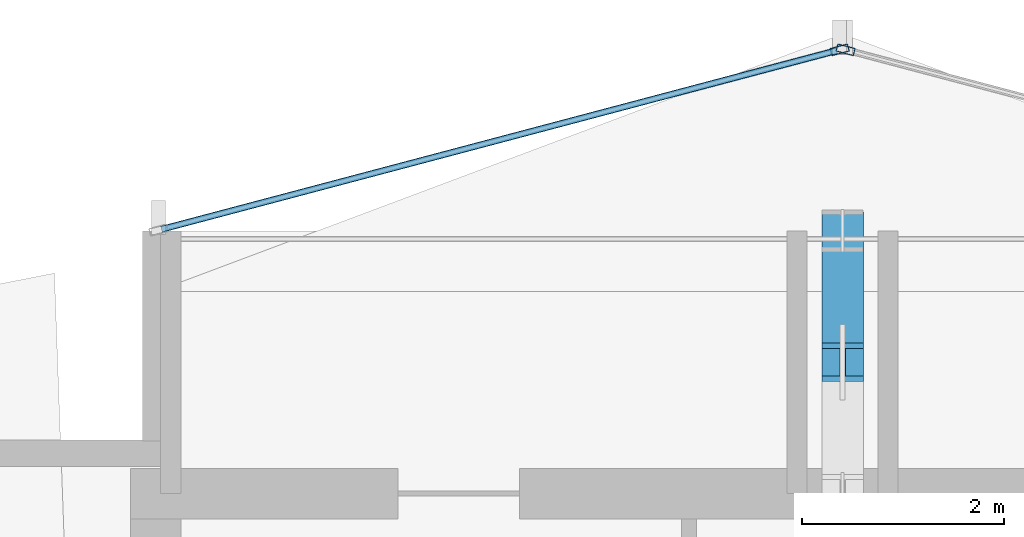
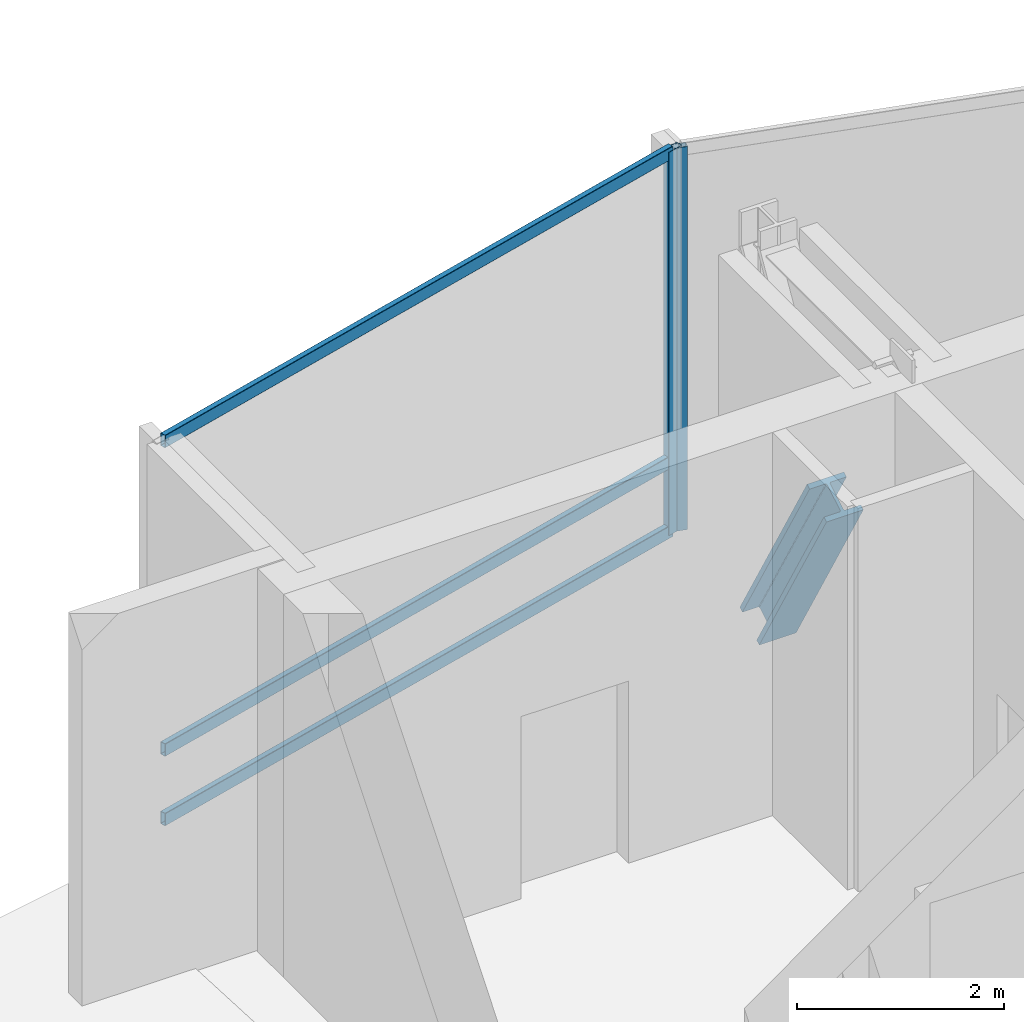
# One storey, part 16 of 30: 6 members, 2 elements without a shape of their own.
"""IFC4 building model written with IfcOpenShell, lengths in metres."""

import ifcopenshell
import ifcopenshell.guid

model = None  # the IFC model being written
_history = None  # IfcOwnerHistory: only IFC2X3 demands one
_inside = {}  # id of a spatial element -> (the spatial element, [elements in it])
_under = {}  # id of a project, library or spatial element -> (it, [spatial elements below it])
_declared = {}  # id of a project -> (the project, [libraries it declares])
_typed = {}  # id of a type object -> (the type object, [elements of that type])
_made_of = {}  # id of a material, layer set ... -> (it, [elements and type objects made of it])


def new_model(schema):
    """Start an empty IFC model of exactly this schema.

    Asked for "IFC4X3", IfcOpenShell would pick the latest addendum, in which some entities
    have other attributes; the version numbers below select the first issue.
    IFC2X3 requires an IfcOwnerHistory on every rooted entity: one is made here for all.
    """
    global model, _history
    if schema == "IFC4X3":
        model = ifcopenshell.file(schema_version=(4, 3, 0, 0))
    else:
        model = ifcopenshell.file(schema=schema)
    _inside.clear()
    _under.clear()
    _declared.clear()
    _typed.clear()
    _made_of.clear()
    _history = None
    if model.schema == "IFC2X3":
        org = make("IfcOrganization", Name="unknown")
        user = make(
            "IfcPersonAndOrganization",
            ThePerson=make("IfcPerson", FamilyName="unknown"),
            TheOrganization=org,
        )
        app = make(
            "IfcApplication",
            ApplicationDeveloper=org,
            Version="unknown",
            ApplicationFullName="unknown",
            ApplicationIdentifier="unknown",
        )
        _history = make(
            "IfcOwnerHistory",
            OwningUser=user,
            OwningApplication=app,
            ChangeAction="ADDED",
            CreationDate=0,
        )
    return model


def make(cls, **values):
    """One entity of the class cls with the attributes given. An attribute that is None is left unset."""
    return model.create_entity(
        cls, **{name: value for name, value in values.items() if value is not None}
    )


def rooted(cls, **values):
    """An entity with a GlobalId (a new one), such as an element, a storey or a relation."""
    return make(cls, GlobalId=ifcopenshell.guid.new(), OwnerHistory=_history, **values)


def si_unit(unit_type, name, prefix=None):
    """IfcSIUnit, for example si_unit("LENGTHUNIT", "METRE", prefix="MILLI")."""
    return make("IfcSIUnit", UnitType=unit_type, Prefix=prefix, Name=name)


def assignment(units):
    """IfcUnitAssignment: the units of a project."""
    return None if units is None else make("IfcUnitAssignment", Units=units)


def point(xyz):
    """IfcCartesianPoint."""
    return None if xyz is None else make("IfcCartesianPoint", Coordinates=xyz)


def direction(xyz):
    """IfcDirection."""
    return None if xyz is None else make("IfcDirection", DirectionRatios=xyz)


def frame(location, z_axis=None, x_axis=None):
    """IfcAxis2Placement3D, a coordinate frame: its origin and axes. An axis left out is left unset."""
    return make(
        "IfcAxis2Placement3D",
        Location=point(location),
        Axis=direction(z_axis),
        RefDirection=direction(x_axis),
    )


def frame_2d(location, x_axis=None):
    """IfcAxis2Placement2D, a coordinate frame in the plane: its origin and x axis."""
    return make(
        "IfcAxis2Placement2D", Location=point(location), RefDirection=direction(x_axis)
    )


def origin():
    """The frame at (0, 0, 0) with its axes left unset."""
    return frame((0.0, 0.0, 0.0))


def origin_2d():
    """The frame at (0, 0) in the plane with its x axis left unset."""
    return frame_2d((0.0, 0.0))


def place(relative_to, where):
    """IfcLocalPlacement: puts the frame where relative to a parent placement (None: the world)."""
    return make(
        "IfcLocalPlacement", PlacementRelTo=relative_to, RelativePlacement=where
    )


def context(
    kind, dimensions, precision=None, world=None, true_north=None, identifier=None
):
    """IfcGeometricRepresentationContext, for example the 3D "Model" context."""
    return make(
        "IfcGeometricRepresentationContext",
        ContextIdentifier=identifier,
        ContextType=kind,
        CoordinateSpaceDimension=dimensions,
        Precision=precision,
        WorldCoordinateSystem=world,
        TrueNorth=true_north,
    )


def subcontext(parent, identifier, kind, view, scale=None):
    """IfcGeometricRepresentationSubContext, for example "Body" below "Model"."""
    return make(
        "IfcGeometricRepresentationSubContext",
        ContextIdentifier=identifier,
        ContextType=kind,
        ParentContext=parent,
        TargetScale=scale,
        TargetView=view,
    )


def project(units=None, contexts=None):
    """IfcProject with its units and contexts."""
    return rooted(
        "IfcProject",
        Name="project",
        RepresentationContexts=contexts,
        UnitsInContext=assignment(units),
    )


def spatial(cls, under=None, at=None, **own):
    """A site, building, storey or space (cls), placed at a placement, below another one or the project."""
    s = rooted(cls, ObjectPlacement=at, **own)
    if under is not None:
        _under.setdefault(under.id(), (under, []))[1].append(s)
    return s


def profile(cls, at=None, kind="AREA", **sizes):
    """A parametric profile (cls). Its sizes go by their IFC names, for example OverallWidth=200.0."""
    return make(cls, ProfileType=kind, Position=at, **sizes)


def hollow_rectangle(**sizes):
    """IfcRectangleHollowProfileDef."""
    return profile("IfcRectangleHollowProfileDef", **sizes)


def i_section(**sizes):
    """IfcIShapeProfileDef."""
    return profile("IfcIShapeProfileDef", **sizes)


def extrude(swept, where, along, depth):
    """IfcExtrudedAreaSolid: the profile swept, set in the frame where, extruded along a direction by depth."""
    return make(
        "IfcExtrudedAreaSolid",
        SweptArea=swept,
        Position=where,
        ExtrudedDirection=direction(along),
        Depth=depth,
    )


def shape(context_of_items, identifier, shape_type, items):
    """IfcShapeRepresentation: the items that make up one representation, for example the "Body"."""
    return make(
        "IfcShapeRepresentation",
        ContextOfItems=context_of_items,
        RepresentationIdentifier=identifier,
        RepresentationType=shape_type,
        Items=items,
    )


def material(Name=None, Category=None):
    """IfcMaterial."""
    return make("IfcMaterial", Name=Name, Category=Category)


def layer(
    of_material, thickness, ventilated=None, Name=None, Category=None, Priority=None
):
    """IfcMaterialLayer: one layer of a wall or slab, of a material (None: an air gap)."""
    return make(
        "IfcMaterialLayer",
        Material=of_material,
        LayerThickness=thickness,
        IsVentilated=ventilated,
        Name=Name,
        Category=Category,
        Priority=Priority,
    )


def layer_set(layers, Name=None):
    """IfcMaterialLayerSet."""
    return make("IfcMaterialLayerSet", MaterialLayers=layers, LayerSetName=Name)


def material_profile(
    of_material, cross_section, Name=None, Category=None, Priority=None
):
    """IfcMaterialProfile: a cross section and its material."""
    return make(
        "IfcMaterialProfile",
        Name=Name,
        Material=of_material,
        Profile=cross_section,
        Priority=Priority,
        Category=Category,
    )


def profile_set(profiles, Name=None, composite=None):
    """IfcMaterialProfileSet."""
    return make(
        "IfcMaterialProfileSet",
        Name=Name,
        MaterialProfiles=profiles,
        CompositeProfile=composite,
    )


def made_of(thing, what):
    """Note that an element or type object is made of a material, layer set ...; save() writes the relation."""
    if what is not None:
        _made_of.setdefault(what.id(), (what, []))[1].append(thing)
    return thing


def type_object(cls, material=None, **own):
    """A type object (cls), such as IfcWallType, which elements share."""
    return made_of(rooted(cls, **own), material)


def element(
    cls,
    number,
    at=None,
    inside=None,
    cuts=None,
    type_object=None,
    material=None,
    context=None,
    identifier="Body",
    shape_type=None,
    held_by="IfcProductDefinitionShape",
    body=None,
    shapes=None,
    **own,
):
    """One element of the class cls, such as IfcWall. Its Tag is "e" and its number.

    at: its placement. inside: the storey or other place that contains it. cuts: it is an
    opening in that element (IfcRelVoidsElement). A single representation is given by context,
    identifier, shape_type and body (its items); several are given by shapes. held_by: the class
    of the entity that holds the representations. save() writes the other relations.
    """
    e = rooted(cls, Tag="e%d" % number, ObjectPlacement=at, **own)
    if body is not None:
        shapes = [shape(context, identifier, shape_type, body)]
    if shapes is not None:
        e.Representation = make(held_by, Representations=shapes)
    if inside is not None:
        _inside.setdefault(inside.id(), (inside, []))[1].append(e)
    if cuts is not None:
        rooted(
            "IfcRelVoidsElement", RelatingBuildingElement=cuts, RelatedOpeningElement=e
        )
    if type_object is not None:
        _typed.setdefault(type_object.id(), (type_object, []))[1].append(e)
    return made_of(e, material)


def aggregate(whole, parts):
    """IfcRelAggregates: a whole, such as a stair, and the parts it consists of."""
    return rooted("IfcRelAggregates", RelatingObject=whole, RelatedObjects=parts)


def save(model, path):
    """Write the relations noted so far, then the file.

    IfcRelAggregates (storeys below a building ...), IfcRelContainedInSpatialStructure (elements
    in a storey), IfcRelDefinesByType, IfcRelAssociatesMaterial and IfcRelDeclares: one each for
    every whole, place, type object, material and project.
    """
    for whole, parts in _under.values():
        aggregate(whole, parts)
    for where, things in _inside.values():
        rooted(
            "IfcRelContainedInSpatialStructure",
            RelatedElements=things,
            RelatingStructure=where,
        )
    for kind, things in _typed.values():
        rooted("IfcRelDefinesByType", RelatedObjects=things, RelatingType=kind)
    for what, things in _made_of.values():
        rooted("IfcRelAssociatesMaterial", RelatedObjects=things, RelatingMaterial=what)
    for by, libraries in _declared.values():
        rooted("IfcRelDeclares", RelatingContext=by, RelatedDefinitions=libraries)
    model.write(path)


model = new_model("IFC4")

# Units and contexts
model_context = context("Model", 3, precision=1e-05, world=origin(), true_north=direction((0.0, 1.0)))
body_context = subcontext(model_context, "Body", "Model", "MODEL_VIEW")
ifc_project = project(units=[si_unit("LENGTHUNIT", "METRE"), si_unit("AREAUNIT", "SQUARE_METRE"), si_unit("VOLUMEUNIT", "CUBIC_METRE"), si_unit("PLANEANGLEUNIT", "RADIAN"), si_unit("MASSUNIT", "GRAM", prefix="KILO")], contexts=[model_context])

# Site, building, storey
site_placement = place(None, origin())
site = spatial("IfcSite", under=ifc_project, at=site_placement, CompositionType="ELEMENT")
building_placement = place(site_placement, origin())
building = spatial("IfcBuilding", under=site, at=building_placement, Name="Solvaryn Broadcast Tower", CompositionType="ELEMENT")
storey_placement = place(building_placement, frame((0.0, 0.0, 196.39990234375)))
storey = spatial("IfcBuildingStorey", under=building, at=storey_placement, Name="L49", CompositionType="ELEMENT", Elevation=196.39990234375)

# Curtain wall, member
ifc_material_1 = material(Name="Aluminium and Terracotta Unitised Curtain Wall", Category="masonry")
ifc_layer = layer(ifc_material_1, 0.199951171875)
ifc_layer_set = layer_set([ifc_layer], Name="CW-SYS2-LOWMID")
curtain_wall_type = type_object("IfcCurtainWallType", Name="CW-SYS2-LOWMID", PredefinedType="NOTDEFINED", material=ifc_layer_set)
curtain_wall_1_placement = place(storey_placement, origin())
curtain_wall_1 = element("IfcCurtainWall", 1, at=curtain_wall_1_placement, inside=storey, type_object=curtain_wall_type, Name="L49 Curtain Wall NT1", PredefinedType="NOTDEFINED")
ifc_material_2 = material(Name="Anodised Aluminium 6063-T6", Category="aluminium")
ifc_material_profile_1 = material_profile(ifc_material_2, hollow_rectangle(XDim=0.074951171875, YDim=0.179931640625, WallThickness=0.00390625, InnerFilletRadius=0.00390625, OuterFilletRadius=0.008056640625, at=origin_2d()))
ifc_profile_set_1 = profile_set([ifc_material_profile_1], Name="Anodised Aluminium 6063-T6")
member_type_1 = type_object("IfcMemberType", Name="CW-MUL-180", PredefinedType="MULLION", material=ifc_profile_set_1)
member_1_placement = place(storey_placement, frame((18.029052734375, 46.792236328125, 0.0), z_axis=(0.0, 0.0, 1.0), x_axis=(-0.25589256031, -0.966705227863, 0.0)))
member_1 = element("IfcMember", 2, at=member_1_placement, type_object=member_type_1, Name="CWS2 mullion 2", PredefinedType="MULLION", context=body_context, shape_type="SweptSolid", body=[
    extrude(hollow_rectangle(XDim=0.074951171875, YDim=0.179931640625, WallThickness=0.00390625, InnerFilletRadius=0.00390625, OuterFilletRadius=0.008056640625, at=origin_2d()), origin(), (0.0, 0.0, 1.0), 4.52001953125),
])
aggregate(curtain_wall_1, [member_1])

# Curtain wall, members
curtain_wall_2_placement = place(storey_placement, origin())
curtain_wall_2 = element("IfcCurtainWall", 3, at=curtain_wall_2_placement, inside=storey, type_object=curtain_wall_type, Name="L49 Curtain Wall NT2", PredefinedType="NOTDEFINED")
member_2_placement = place(storey_placement, frame((17.970947265625, 46.792236328125, 0.0), z_axis=(0.0, 0.0, 1.0), x_axis=(0.25589256031, -0.966705227863, 0.0)))
member_2 = element("IfcMember", 4, at=member_2_placement, type_object=member_type_1, Name="CWS2 mullion 1", PredefinedType="MULLION", context=body_context, shape_type="SweptSolid", body=[
    extrude(hollow_rectangle(XDim=0.074951171875, YDim=0.179931640625, WallThickness=0.00390625, InnerFilletRadius=0.00390625, OuterFilletRadius=0.008056640625, at=origin_2d()), origin(), (0.0, 0.0, 1.0), 4.52001953125),
])
ifc_material_3 = material(Name="Anodised Aluminium 6063-T6", Category="aluminium")
ifc_material_profile_2 = material_profile(ifc_material_3, hollow_rectangle(XDim=0.06494140625, YDim=0.14990234375, WallThickness=0.00390625, InnerFilletRadius=0.00390625, OuterFilletRadius=0.008056640625, at=origin_2d()))
ifc_profile_set_2 = profile_set([ifc_material_profile_2], Name="Anodised Aluminium 6063-T6")
member_type_2 = type_object("IfcMemberType", Name="CW-TRN-150", PredefinedType="USERDEFINED", material=ifc_profile_set_2)
member_3_placement = place(storey_placement, frame((17.94189453125, 46.78466796875, 0.030029296875), z_axis=(-0.966703943301, -0.255897413051, 0.0), x_axis=(0.255897413051, -0.966703943301, 0.0)))
member_3 = element("IfcMember", 5, at=member_3_placement, type_object=member_type_2, Name="CWS2 transom 1.1", ObjectType="TRANSOM", PredefinedType="USERDEFINED", context=body_context, shape_type="SweptSolid", body=[
    extrude(hollow_rectangle(XDim=0.06494140625, YDim=0.14990234375, WallThickness=0.00390625, InnerFilletRadius=0.00390625, OuterFilletRadius=0.008056640625, at=origin_2d()), origin(), (0.0, 0.0, 1.0), 6.9140625),
])
member_4_placement = place(storey_placement, frame((17.94189453125, 46.78466796875, 0.85009765625), z_axis=(-0.966703943301, -0.255897413051, 0.0), x_axis=(0.255897413051, -0.966703943301, 0.0)))
member_4 = element("IfcMember", 6, at=member_4_placement, type_object=member_type_2, Name="CWS2 transom 1.2", ObjectType="TRANSOM", PredefinedType="USERDEFINED", context=body_context, shape_type="SweptSolid", body=[
    extrude(hollow_rectangle(XDim=0.06494140625, YDim=0.14990234375, WallThickness=0.00390625, InnerFilletRadius=0.00390625, OuterFilletRadius=0.008056640625, at=origin_2d()), origin(), (0.0, 0.0, 1.0), 6.9140625),
])
member_5_placement = place(storey_placement, frame((17.94189453125, 46.78466796875, 4.489990234375), z_axis=(-0.966703943301, -0.255897413051, 0.0), x_axis=(0.255897413051, -0.966703943301, 0.0)))
member_5 = element("IfcMember", 7, at=member_5_placement, type_object=member_type_2, Name="CWS2 transom 1.3", ObjectType="TRANSOM", PredefinedType="USERDEFINED", context=body_context, shape_type="SweptSolid", body=[
    extrude(hollow_rectangle(XDim=0.06494140625, YDim=0.14990234375, WallThickness=0.00390625, InnerFilletRadius=0.00390625, OuterFilletRadius=0.008056640625, at=origin_2d()), origin(), (0.0, 0.0, 1.0), 6.9140625),
])
aggregate(curtain_wall_2, [member_2, member_3, member_4, member_5])

# Member
ifc_material_4 = material(Name="Steel ASTM A913 Grade 65", Category="steel")
ifc_material_profile_3 = material_profile(ifc_material_4, i_section(OverallWidth=0.412109375, OverallDepth=0.43505859375, WebThickness=0.035888671875, FlangeThickness=0.057373046875, FilletRadius=0.014892578125, at=origin_2d()))
ifc_profile_set_3 = profile_set([ifc_material_profile_3], Name="Steel ASTM A913 Grade 65")
member_type_3 = type_object("IfcMemberType", Name="MB-OUTRIGGER-2", PredefinedType="BRACE", material=ifc_profile_set_3)
member_6_placement = place(storey_placement, frame((18.0, 43.699951171875, 2.260009765625), z_axis=(0.0, 0.501964949025, -0.864887963814), x_axis=(-1.0, 0.0, 0.0)))
element("IfcMember", 8, at=member_6_placement, inside=storey, type_object=member_type_3, Name="L49 Outrigger X-Brace N Split Diagonal Upper", PredefinedType="BRACE", context=body_context, shape_type="SweptSolid", body=[
    extrude(i_section(OverallWidth=0.412109375, OverallDepth=0.43505859375, WebThickness=0.035888671875, FlangeThickness=0.057373046875, FilletRadius=0.014892578125, at=origin_2d()), origin(), (0.0, 0.0, 1.0), 2.58984375),
])

save(model, "model.ifc")
